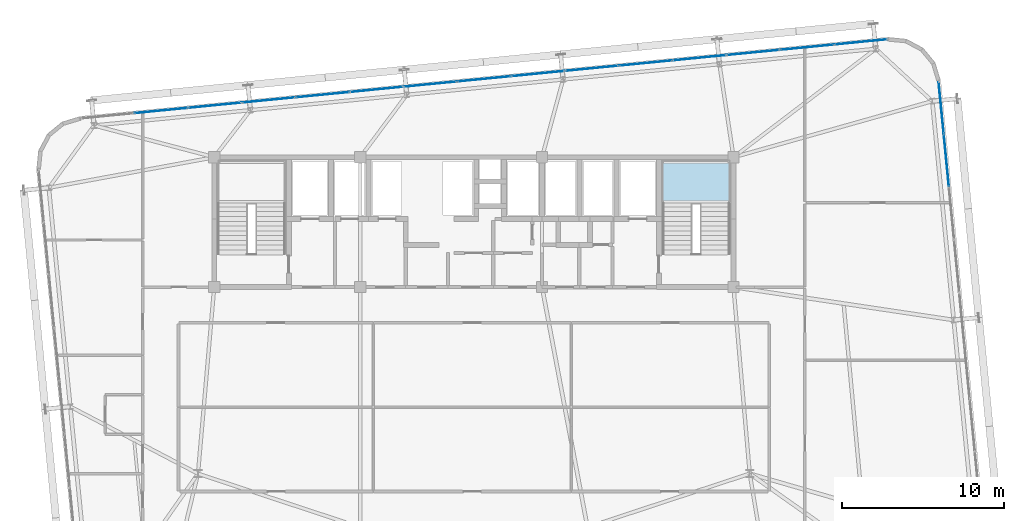
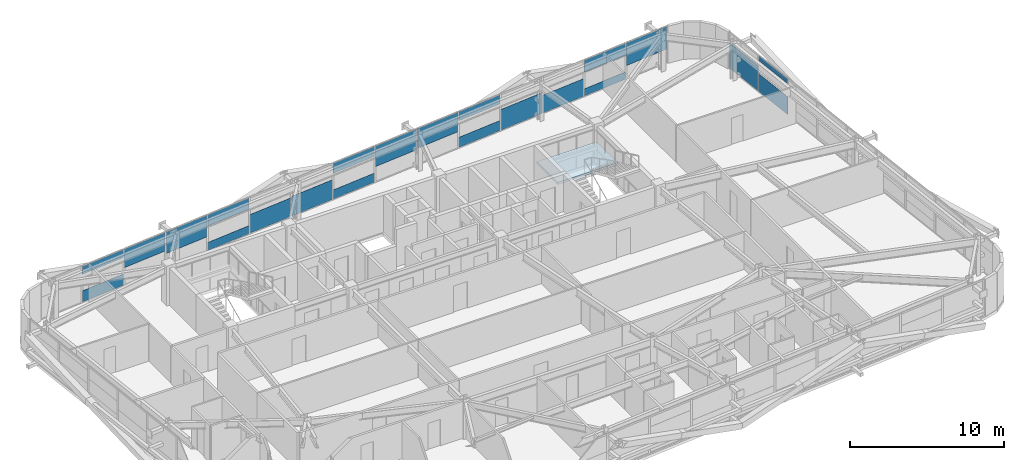
# One storey, part 37 of 54: 22 plates, 1 slab, 3 elements without a shape of their own.
"""IFC4 building model written with IfcOpenShell, lengths in metres."""

import ifcopenshell
import ifcopenshell.guid

model = None  # the IFC model being written
_history = None  # IfcOwnerHistory: only IFC2X3 demands one
_inside = {}  # id of a spatial element -> (the spatial element, [elements in it])
_under = {}  # id of a project, library or spatial element -> (it, [spatial elements below it])
_declared = {}  # id of a project -> (the project, [libraries it declares])
_typed = {}  # id of a type object -> (the type object, [elements of that type])
_made_of = {}  # id of a material, layer set ... -> (it, [elements and type objects made of it])


def new_model(schema):
    """Start an empty IFC model of exactly this schema.

    Asked for "IFC4X3", IfcOpenShell would pick the latest addendum, in which some entities
    have other attributes; the version numbers below select the first issue.
    IFC2X3 requires an IfcOwnerHistory on every rooted entity: one is made here for all.
    """
    global model, _history
    if schema == "IFC4X3":
        model = ifcopenshell.file(schema_version=(4, 3, 0, 0))
    else:
        model = ifcopenshell.file(schema=schema)
    _inside.clear()
    _under.clear()
    _declared.clear()
    _typed.clear()
    _made_of.clear()
    _history = None
    if model.schema == "IFC2X3":
        org = make("IfcOrganization", Name="unknown")
        user = make(
            "IfcPersonAndOrganization",
            ThePerson=make("IfcPerson", FamilyName="unknown"),
            TheOrganization=org,
        )
        app = make(
            "IfcApplication",
            ApplicationDeveloper=org,
            Version="unknown",
            ApplicationFullName="unknown",
            ApplicationIdentifier="unknown",
        )
        _history = make(
            "IfcOwnerHistory",
            OwningUser=user,
            OwningApplication=app,
            ChangeAction="ADDED",
            CreationDate=0,
        )
    return model


def make(cls, **values):
    """One entity of the class cls with the attributes given. An attribute that is None is left unset."""
    return model.create_entity(
        cls, **{name: value for name, value in values.items() if value is not None}
    )


def rooted(cls, **values):
    """An entity with a GlobalId (a new one), such as an element, a storey or a relation."""
    return make(cls, GlobalId=ifcopenshell.guid.new(), OwnerHistory=_history, **values)


def si_unit(unit_type, name, prefix=None):
    """IfcSIUnit, for example si_unit("LENGTHUNIT", "METRE", prefix="MILLI")."""
    return make("IfcSIUnit", UnitType=unit_type, Prefix=prefix, Name=name)


def assignment(units):
    """IfcUnitAssignment: the units of a project."""
    return None if units is None else make("IfcUnitAssignment", Units=units)


def point(xyz):
    """IfcCartesianPoint."""
    return None if xyz is None else make("IfcCartesianPoint", Coordinates=xyz)


def direction(xyz):
    """IfcDirection."""
    return None if xyz is None else make("IfcDirection", DirectionRatios=xyz)


def frame(location, z_axis=None, x_axis=None):
    """IfcAxis2Placement3D, a coordinate frame: its origin and axes. An axis left out is left unset."""
    return make(
        "IfcAxis2Placement3D",
        Location=point(location),
        Axis=direction(z_axis),
        RefDirection=direction(x_axis),
    )


def frame_2d(location, x_axis=None):
    """IfcAxis2Placement2D, a coordinate frame in the plane: its origin and x axis."""
    return make(
        "IfcAxis2Placement2D", Location=point(location), RefDirection=direction(x_axis)
    )


def origin():
    """The frame at (0, 0, 0) with its axes left unset."""
    return frame((0.0, 0.0, 0.0))


def origin_2d():
    """The frame at (0, 0) in the plane with its x axis left unset."""
    return frame_2d((0.0, 0.0))


def place(relative_to, where):
    """IfcLocalPlacement: puts the frame where relative to a parent placement (None: the world)."""
    return make(
        "IfcLocalPlacement", PlacementRelTo=relative_to, RelativePlacement=where
    )


def context(
    kind, dimensions, precision=None, world=None, true_north=None, identifier=None
):
    """IfcGeometricRepresentationContext, for example the 3D "Model" context."""
    return make(
        "IfcGeometricRepresentationContext",
        ContextIdentifier=identifier,
        ContextType=kind,
        CoordinateSpaceDimension=dimensions,
        Precision=precision,
        WorldCoordinateSystem=world,
        TrueNorth=true_north,
    )


def subcontext(parent, identifier, kind, view, scale=None):
    """IfcGeometricRepresentationSubContext, for example "Body" below "Model"."""
    return make(
        "IfcGeometricRepresentationSubContext",
        ContextIdentifier=identifier,
        ContextType=kind,
        ParentContext=parent,
        TargetScale=scale,
        TargetView=view,
    )


def project(units=None, contexts=None):
    """IfcProject with its units and contexts."""
    return rooted(
        "IfcProject",
        Name="project",
        RepresentationContexts=contexts,
        UnitsInContext=assignment(units),
    )


def spatial(cls, under=None, at=None, **own):
    """A site, building, storey or space (cls), placed at a placement, below another one or the project."""
    s = rooted(cls, ObjectPlacement=at, **own)
    if under is not None:
        _under.setdefault(under.id(), (under, []))[1].append(s)
    return s


def polyline(points):
    """IfcPolyline through the points."""
    return make("IfcPolyline", Points=[point(p) for p in points])


def profile(cls, at=None, kind="AREA", **sizes):
    """A parametric profile (cls). Its sizes go by their IFC names, for example OverallWidth=200.0."""
    return make(cls, ProfileType=kind, Position=at, **sizes)


def rectangle(**sizes):
    """IfcRectangleProfileDef."""
    return profile("IfcRectangleProfileDef", **sizes)


def outline(outer, holes=None, kind="AREA"):
    """IfcArbitraryClosedProfileDef: a profile drawn as a closed curve; with holes, ...WithVoids."""
    if holes is None:
        return make("IfcArbitraryClosedProfileDef", ProfileType=kind, OuterCurve=outer)
    return make(
        "IfcArbitraryProfileDefWithVoids",
        ProfileType=kind,
        OuterCurve=outer,
        InnerCurves=holes,
    )


def extrude(swept, where, along, depth):
    """IfcExtrudedAreaSolid: the profile swept, set in the frame where, extruded along a direction by depth."""
    return make(
        "IfcExtrudedAreaSolid",
        SweptArea=swept,
        Position=where,
        ExtrudedDirection=direction(along),
        Depth=depth,
    )


def shape(context_of_items, identifier, shape_type, items):
    """IfcShapeRepresentation: the items that make up one representation, for example the "Body"."""
    return make(
        "IfcShapeRepresentation",
        ContextOfItems=context_of_items,
        RepresentationIdentifier=identifier,
        RepresentationType=shape_type,
        Items=items,
    )


def source(mapping_origin, context_of_items, identifier, shape_type, items):
    """IfcRepresentationMap: a shape defined once, which mapped items show again and again."""
    return make(
        "IfcRepresentationMap",
        MappingOrigin=mapping_origin,
        MappedRepresentation=shape(context_of_items, identifier, shape_type, items),
    )


def transform(
    local_origin,
    x_axis=None,
    y_axis=None,
    z_axis=None,
    scale=None,
    scale2=None,
    scale3=None,
    uniform=True,
):
    """IfcCartesianTransformationOperator3D, or its non-uniform kind. x_axis, y_axis, z_axis: its Axis1, 2, 3."""
    if uniform:
        return make(
            "IfcCartesianTransformationOperator3D",
            Axis1=direction(x_axis),
            Axis2=direction(y_axis),
            LocalOrigin=point(local_origin),
            Scale=scale,
            Axis3=direction(z_axis),
        )
    return make(
        "IfcCartesianTransformationOperator3DnonUniform",
        Axis1=direction(x_axis),
        Axis2=direction(y_axis),
        LocalOrigin=point(local_origin),
        Scale=scale,
        Axis3=direction(z_axis),
        Scale2=scale2,
        Scale3=scale3,
    )


def mapped(mapping_source, mapping_target):
    """IfcMappedItem: shows the shape of a source again, moved by a transform."""
    return make(
        "IfcMappedItem", MappingSource=mapping_source, MappingTarget=mapping_target
    )


def material(Name=None, Category=None):
    """IfcMaterial."""
    return make("IfcMaterial", Name=Name, Category=Category)


def layer(
    of_material, thickness, ventilated=None, Name=None, Category=None, Priority=None
):
    """IfcMaterialLayer: one layer of a wall or slab, of a material (None: an air gap)."""
    return make(
        "IfcMaterialLayer",
        Material=of_material,
        LayerThickness=thickness,
        IsVentilated=ventilated,
        Name=Name,
        Category=Category,
        Priority=Priority,
    )


def layer_set(layers, Name=None):
    """IfcMaterialLayerSet."""
    return make("IfcMaterialLayerSet", MaterialLayers=layers, LayerSetName=Name)


def made_of(thing, what):
    """Note that an element or type object is made of a material, layer set ...; save() writes the relation."""
    if what is not None:
        _made_of.setdefault(what.id(), (what, []))[1].append(thing)
    return thing


def type_object(cls, material=None, **own):
    """A type object (cls), such as IfcWallType, which elements share."""
    return made_of(rooted(cls, **own), material)


def element(
    cls,
    number,
    at=None,
    inside=None,
    cuts=None,
    type_object=None,
    material=None,
    context=None,
    identifier="Body",
    shape_type=None,
    held_by="IfcProductDefinitionShape",
    body=None,
    shapes=None,
    **own,
):
    """One element of the class cls, such as IfcWall. Its Tag is "e" and its number.

    at: its placement. inside: the storey or other place that contains it. cuts: it is an
    opening in that element (IfcRelVoidsElement). A single representation is given by context,
    identifier, shape_type and body (its items); several are given by shapes. held_by: the class
    of the entity that holds the representations. save() writes the other relations.
    """
    e = rooted(cls, Tag="e%d" % number, ObjectPlacement=at, **own)
    if body is not None:
        shapes = [shape(context, identifier, shape_type, body)]
    if shapes is not None:
        e.Representation = make(held_by, Representations=shapes)
    if inside is not None:
        _inside.setdefault(inside.id(), (inside, []))[1].append(e)
    if cuts is not None:
        rooted(
            "IfcRelVoidsElement", RelatingBuildingElement=cuts, RelatedOpeningElement=e
        )
    if type_object is not None:
        _typed.setdefault(type_object.id(), (type_object, []))[1].append(e)
    return made_of(e, material)


def aggregate(whole, parts):
    """IfcRelAggregates: a whole, such as a stair, and the parts it consists of."""
    return rooted("IfcRelAggregates", RelatingObject=whole, RelatedObjects=parts)


def save(model, path):
    """Write the relations noted so far, then the file.

    IfcRelAggregates (storeys below a building ...), IfcRelContainedInSpatialStructure (elements
    in a storey), IfcRelDefinesByType, IfcRelAssociatesMaterial and IfcRelDeclares: one each for
    every whole, place, type object, material and project.
    """
    for whole, parts in _under.values():
        aggregate(whole, parts)
    for where, things in _inside.values():
        rooted(
            "IfcRelContainedInSpatialStructure",
            RelatedElements=things,
            RelatingStructure=where,
        )
    for kind, things in _typed.values():
        rooted("IfcRelDefinesByType", RelatedObjects=things, RelatingType=kind)
    for what, things in _made_of.values():
        rooted("IfcRelAssociatesMaterial", RelatedObjects=things, RelatingMaterial=what)
    for by, libraries in _declared.values():
        rooted("IfcRelDeclares", RelatingContext=by, RelatedDefinitions=libraries)
    model.write(path)


model = new_model("IFC4")

# Units and contexts
model_context = context("Model", 3, precision=1e-05, world=origin(), true_north=direction((0.0, 1.0)))
body_context = subcontext(model_context, "Body", "Model", "MODEL_VIEW")
ifc_project = project(units=[si_unit("LENGTHUNIT", "METRE"), si_unit("AREAUNIT", "SQUARE_METRE"), si_unit("VOLUMEUNIT", "CUBIC_METRE"), si_unit("PLANEANGLEUNIT", "RADIAN"), si_unit("MASSUNIT", "GRAM", prefix="KILO")], contexts=[model_context])

# Site, building, storey
site_placement = place(None, origin())
site = spatial("IfcSite", under=ifc_project, at=site_placement, CompositionType="ELEMENT")
building_placement = place(site_placement, origin())
building = spatial("IfcBuilding", under=site, at=building_placement, Name="Taldren Reach Tower", CompositionType="ELEMENT")
storey_placement = place(building_placement, frame((0.0, 0.0, 102.89990234375)))
storey = spatial("IfcBuildingStorey", under=building, at=storey_placement, Name="L31", CompositionType="ELEMENT", Elevation=102.89990234375)

# Stair, slab
ifc_material_1 = material(Name="Concrete S50 (50 MPa)", Category="concrete")
stair_type = type_object("IfcStairType", Name="ST-HT-315", PredefinedType="HALF_TURN_STAIR", material=ifc_material_1)
stair_placement = place(storey_placement, origin())
stair = element("IfcStair", 1, at=stair_placement, inside=storey, type_object=stair_type, Name="Fire-isolated exit stair ST2 L31", PredefinedType="HALF_TURN_STAIR")
ifc_layer_1 = layer(ifc_material_1, 0.179931640625)
ifc_layer_set_1 = layer_set([ifc_layer_1], Name="Concrete S50 (50 MPa)")
slab_type = type_object("IfcSlabType", Name="SL-LAND-180", PredefinedType="LANDING", material=ifc_layer_set_1)
slab_placement = place(storey_placement, frame((0.0, 0.0, 1.39501953125)))
slab = element("IfcSlab", 2, at=slab_placement, type_object=slab_type, Name="ST2 landing 1", PredefinedType="LANDING", context=body_context, shape_type="SweptSolid", body=[
    extrude(outline(polyline([(46.43994140625, 29.135009765625), (50.9599609375, 29.135009765625), (50.9599609375, 31.8701171875), (46.43994140625, 31.8701171875), (46.43994140625, 29.135009765625)])), origin(), (0.0, 0.0, 1.0), 0.18017578125),
])
aggregate(stair, [slab])

# Curtain wall, plates
ifc_material_2 = material(Name="Aluminium and Low-E Glass Unitised System", Category="aluminium")
ifc_layer_2 = layer(ifc_material_2, 0.159912109375)
ifc_layer_set_2 = layer_set([ifc_layer_2], Name="Aluminium and Low-E Glass Unitised System")
curtain_wall_type = type_object("IfcCurtainWallType", Name="CW-SYS-3", PredefinedType="NOTDEFINED", material=ifc_layer_set_2)
curtain_wall_1_placement = place(storey_placement, origin())
curtain_wall_1 = element("IfcCurtainWall", 3, at=curtain_wall_1_placement, inside=storey, type_object=curtain_wall_type, Name="Unitised curtain wall CW-L31-N", PredefinedType="NOTDEFINED")
ifc_material_3 = material(Name="Solar-Control Double Glazed IGU", Category="glass")
ifc_layer_3 = layer(ifc_material_3, 0.031982421875)
ifc_layer_set_3 = layer_set([ifc_layer_3], Name="Solar-Control Double Glazed IGU")
plate_type = type_object("IfcPlateType", Name="CW-PNL-IGU32", PredefinedType="CURTAIN_PANEL", material=ifc_layer_set_3)
shared_shape_1 = source(origin(), body_context, "Body", "SweptSolid", [
    extrude(rectangle(XDim=3.268310546875, YDim=0.031982421875, at=origin_2d()), origin(), (0.0, 0.0, 1.0), 0.88818359375),
])
plate_1_placement = place(storey_placement, frame((15.72705078125, 34.874267578125, 0.05517578125), z_axis=(0.0, 0.0, 1.0), x_axis=(-0.995227390247, -0.097582999046, 0.0)))
plate_1 = element("IfcPlate", 4, at=plate_1_placement, type_object=plate_type, Name="CW-3 panel 14.1 part 1", PredefinedType="CURTAIN_PANEL", context=body_context, shape_type="MappedRepresentation", body=[
    mapped(shared_shape_1, transform((0.0, 0.0, 0.0), scale=1.0)),
])
shared_shape_2 = source(origin(), body_context, "Body", "SweptSolid", [
    extrude(rectangle(XDim=3.268310546875, YDim=0.031982421875, at=origin_2d()), origin(), (0.0, 0.0, 1.0), 0.626953125),
])
plate_2_placement = place(storey_placement, frame((15.72705078125, 34.874267578125, 2.248046875), z_axis=(0.0, 0.0, 1.0), x_axis=(-0.995227390247, -0.097582999046, 0.0)))
plate_2 = element("IfcPlate", 5, at=plate_2_placement, type_object=plate_type, Name="CW-3 panel 14.1 part 2", PredefinedType="CURTAIN_PANEL", context=body_context, shape_type="MappedRepresentation", body=[
    mapped(shared_shape_2, transform((0.0, 0.0, 0.0), scale=1.0)),
])
shared_shape_3 = source(origin(), body_context, "Body", "SweptSolid", [
    extrude(rectangle(XDim=3.268310546875, YDim=0.031982421875, at=origin_2d()), origin(), (0.0, 0.0, 1.0), 1.4638671875),
])
plate_3_placement = place(storey_placement, frame((19.04443359375, 35.199462890625, 1.411376953125), z_axis=(0.0, 0.0, 1.0), x_axis=(-0.995227390247, -0.097582999046, 0.0)))
plate_3 = element("IfcPlate", 6, at=plate_3_placement, type_object=plate_type, Name="CW-3 panel 13.1 part 1", PredefinedType="CURTAIN_PANEL", context=body_context, shape_type="MappedRepresentation", body=[
    mapped(shared_shape_3, transform((0.0, 0.0, 0.0), scale=1.0)),
])
shared_shape_4 = source(origin(), body_context, "Body", "SweptSolid", [
    extrude(rectangle(XDim=3.268310546875, YDim=0.031982421875, at=origin_2d()), origin(), (0.0, 0.0, 1.0), 1.704833984375),
])
plate_4_placement = place(storey_placement, frame((22.36181640625, 35.52490234375, 1.17041015625), z_axis=(0.0, 0.0, 1.0), x_axis=(-0.995227390247, -0.097582999046, 0.0)))
plate_4 = element("IfcPlate", 7, at=plate_4_placement, type_object=plate_type, Name="CW-3 panel 12.1 part 1", PredefinedType="CURTAIN_PANEL", context=body_context, shape_type="MappedRepresentation", body=[
    mapped(shared_shape_4, transform((0.0, 0.0, 0.0), scale=1.0)),
])
shared_shape_5 = source(origin(), body_context, "Body", "SweptSolid", [
    extrude(rectangle(XDim=3.268310546875, YDim=0.031982421875, at=origin_2d()), origin(), (0.0, 0.0, 1.0), 0.647216796875),
])
plate_5_placement = place(storey_placement, frame((25.67919921875, 35.85009765625, 0.05517578125), z_axis=(0.0, 0.0, 1.0), x_axis=(-0.995227390247, -0.097582999046, 0.0)))
plate_5 = element("IfcPlate", 8, at=plate_5_placement, type_object=plate_type, Name="CW-3 panel 11.1 part 1", PredefinedType="CURTAIN_PANEL", context=body_context, shape_type="MappedRepresentation", body=[
    mapped(shared_shape_5, transform((0.0, 0.0, 0.0), scale=1.0)),
])
shared_shape_6 = source(origin(), body_context, "Body", "SweptSolid", [
    extrude(rectangle(XDim=3.268310546875, YDim=0.031982421875, at=origin_2d()), origin(), (0.0, 0.0, 1.0), 0.867919921875),
])
plate_6_placement = place(storey_placement, frame((25.67919921875, 35.85009765625, 2.00732421875), z_axis=(0.0, 0.0, 1.0), x_axis=(-0.995227390247, -0.097582999046, 0.0)))
plate_6 = element("IfcPlate", 9, at=plate_6_placement, type_object=plate_type, Name="CW-3 panel 11.1 part 2", PredefinedType="CURTAIN_PANEL", context=body_context, shape_type="MappedRepresentation", body=[
    mapped(shared_shape_6, transform((0.0, 0.0, 0.0), scale=1.0)),
])
shared_shape_7 = source(origin(), body_context, "Body", "SweptSolid", [
    extrude(rectangle(XDim=3.268310546875, YDim=0.031982421875, at=origin_2d()), origin(), (0.0, 0.0, 1.0), 1.484130859375),
])
plate_7_placement = place(storey_placement, frame((28.996826171875, 36.17529296875, 0.05517578125), z_axis=(0.0, 0.0, 1.0), x_axis=(-0.995227390247, -0.097582999046, 0.0)))
plate_7 = element("IfcPlate", 10, at=plate_7_placement, type_object=plate_type, Name="CW-3 panel 10.1 part 1", PredefinedType="CURTAIN_PANEL", context=body_context, shape_type="MappedRepresentation", body=[
    mapped(shared_shape_7, transform((0.0, 0.0, 0.0), scale=1.0)),
])
shared_shape_8 = source(origin(), body_context, "Body", "SweptSolid", [
    extrude(rectangle(XDim=3.268310546875, YDim=0.031982421875, at=origin_2d()), origin(), (0.0, 0.0, 1.0), 1.564453125),
])
plate_8_placement = place(storey_placement, frame((32.314208984375, 36.500732421875, 0.05517578125), z_axis=(0.0, 0.0, 1.0), x_axis=(-0.995227390247, -0.097582999046, 0.0)))
plate_8 = element("IfcPlate", 11, at=plate_8_placement, type_object=plate_type, Name="CW-3 panel 9.1 part 1", PredefinedType="CURTAIN_PANEL", context=body_context, shape_type="MappedRepresentation", body=[
    mapped(shared_shape_8, transform((0.0, 0.0, 0.0), scale=1.0)),
])
shared_shape_9 = source(origin(), body_context, "Body", "SweptSolid", [
    extrude(rectangle(XDim=3.268310546875, YDim=0.031982421875, at=origin_2d()), origin(), (0.0, 0.0, 1.0), 0.7275390625),
])
plate_9_placement = place(storey_placement, frame((35.631591796875, 36.825927734375, 0.05517578125), z_axis=(0.0, 0.0, 1.0), x_axis=(-0.995227390247, -0.097582999046, 0.0)))
plate_9 = element("IfcPlate", 12, at=plate_9_placement, type_object=plate_type, Name="CW-3 panel 8.1 part 1", PredefinedType="CURTAIN_PANEL", context=body_context, shape_type="MappedRepresentation", body=[
    mapped(shared_shape_9, transform((0.0, 0.0, 0.0), scale=1.0)),
])
shared_shape_10 = source(origin(), body_context, "Body", "SweptSolid", [
    extrude(rectangle(XDim=3.268310546875, YDim=0.031982421875, at=origin_2d()), origin(), (0.0, 0.0, 1.0), 0.78759765625),
])
plate_10_placement = place(storey_placement, frame((35.631591796875, 36.825927734375, 2.08740234375), z_axis=(0.0, 0.0, 1.0), x_axis=(-0.995227390247, -0.097582999046, 0.0)))
plate_10 = element("IfcPlate", 13, at=plate_10_placement, type_object=plate_type, Name="CW-3 panel 8.1 part 2", PredefinedType="CURTAIN_PANEL", context=body_context, shape_type="MappedRepresentation", body=[
    mapped(shared_shape_10, transform((0.0, 0.0, 0.0), scale=1.0)),
])
shared_shape_11 = source(origin(), body_context, "Body", "SweptSolid", [
    extrude(rectangle(XDim=3.268310546875, YDim=0.031982421875, at=origin_2d()), origin(), (0.0, 0.0, 1.0), 1.62451171875),
])
plate_11_placement = place(storey_placement, frame((38.948974609375, 37.151123046875, 1.250732421875), z_axis=(0.0, 0.0, 1.0), x_axis=(-0.995227390247, -0.097582999046, 0.0)))
plate_11 = element("IfcPlate", 14, at=plate_11_placement, type_object=plate_type, Name="CW-3 panel 7.1 part 1", PredefinedType="CURTAIN_PANEL", context=body_context, shape_type="MappedRepresentation", body=[
    mapped(shared_shape_11, transform((0.0, 0.0, 0.0), scale=1.0)),
])
shared_shape_12 = source(origin(), body_context, "Body", "SweptSolid", [
    extrude(rectangle(XDim=3.268310546875, YDim=0.031982421875, at=origin_2d()), origin(), (0.0, 0.0, 1.0), 1.544189453125),
])
plate_12_placement = place(storey_placement, frame((42.266357421875, 37.4765625, 1.3310546875), z_axis=(0.0, 0.0, 1.0), x_axis=(-0.995227390247, -0.097582999046, 0.0)))
plate_12 = element("IfcPlate", 15, at=plate_12_placement, type_object=plate_type, Name="CW-3 panel 6.1 part 1", PredefinedType="CURTAIN_PANEL", context=body_context, shape_type="MappedRepresentation", body=[
    mapped(shared_shape_12, transform((0.0, 0.0, 0.0), scale=1.0)),
])
shared_shape_13 = source(origin(), body_context, "Body", "SweptSolid", [
    extrude(rectangle(XDim=3.268310546875, YDim=0.031982421875, at=origin_2d()), origin(), (0.0, 0.0, 1.0), 0.807861328125),
])
plate_13_placement = place(storey_placement, frame((45.583740234375, 37.8017578125, 0.05517578125), z_axis=(0.0, 0.0, 1.0), x_axis=(-0.995227390247, -0.097582999046, 0.0)))
plate_13 = element("IfcPlate", 16, at=plate_13_placement, type_object=plate_type, Name="CW-3 panel 5.1 part 1", PredefinedType="CURTAIN_PANEL", context=body_context, shape_type="MappedRepresentation", body=[
    mapped(shared_shape_13, transform((0.0, 0.0, 0.0), scale=1.0)),
])
shared_shape_14 = source(origin(), body_context, "Body", "SweptSolid", [
    extrude(rectangle(XDim=3.268310546875, YDim=0.031982421875, at=origin_2d()), origin(), (0.0, 0.0, 1.0), 0.707275390625),
])
plate_14_placement = place(storey_placement, frame((45.583740234375, 37.8017578125, 2.16796875), z_axis=(0.0, 0.0, 1.0), x_axis=(-0.995227390247, -0.097582999046, 0.0)))
plate_14 = element("IfcPlate", 17, at=plate_14_placement, type_object=plate_type, Name="CW-3 panel 5.1 part 2", PredefinedType="CURTAIN_PANEL", context=body_context, shape_type="MappedRepresentation", body=[
    mapped(shared_shape_14, transform((0.0, 0.0, 0.0), scale=1.0)),
])
shared_shape_15 = source(origin(), body_context, "Body", "SweptSolid", [
    extrude(rectangle(XDim=3.268310546875, YDim=0.031982421875, at=origin_2d()), origin(), (0.0, 0.0, 1.0), 1.644775390625),
])
plate_15_placement = place(storey_placement, frame((48.9013671875, 38.126953125, 0.05517578125), z_axis=(0.0, 0.0, 1.0), x_axis=(-0.995227390247, -0.097582999046, 0.0)))
plate_15 = element("IfcPlate", 18, at=plate_15_placement, type_object=plate_type, Name="CW-3 panel 4.1 part 1", PredefinedType="CURTAIN_PANEL", context=body_context, shape_type="MappedRepresentation", body=[
    mapped(shared_shape_15, transform((0.0, 0.0, 0.0), scale=1.0)),
])
shared_shape_16 = source(origin(), body_context, "Body", "SweptSolid", [
    extrude(rectangle(XDim=3.268310546875, YDim=0.031982421875, at=origin_2d()), origin(), (0.0, 0.0, 1.0), 1.40380859375),
])
plate_16_placement = place(storey_placement, frame((52.21875, 38.452392578125, 0.05517578125), z_axis=(0.0, 0.0, 1.0), x_axis=(-0.995227390247, -0.097582999046, 0.0)))
plate_16 = element("IfcPlate", 19, at=plate_16_placement, type_object=plate_type, Name="CW-3 panel 3.1 part 1", PredefinedType="CURTAIN_PANEL", context=body_context, shape_type="MappedRepresentation", body=[
    mapped(shared_shape_16, transform((0.0, 0.0, 0.0), scale=1.0)),
])
shared_shape_17 = source(origin(), body_context, "Body", "SweptSolid", [
    extrude(rectangle(XDim=3.268310546875, YDim=0.031982421875, at=origin_2d()), origin(), (0.0, 0.0, 1.0), 0.56689453125),
])
plate_17_placement = place(storey_placement, frame((55.5361328125, 38.777587890625, 0.05517578125), z_axis=(0.0, 0.0, 1.0), x_axis=(-0.995227390247, -0.097582999046, 0.0)))
plate_17 = element("IfcPlate", 20, at=plate_17_placement, type_object=plate_type, Name="CW-3 panel 2.1 part 1", PredefinedType="CURTAIN_PANEL", context=body_context, shape_type="MappedRepresentation", body=[
    mapped(shared_shape_17, transform((0.0, 0.0, 0.0), scale=1.0)),
])
shared_shape_18 = source(origin(), body_context, "Body", "SweptSolid", [
    extrude(rectangle(XDim=3.268310546875, YDim=0.031982421875, at=origin_2d()), origin(), (0.0, 0.0, 1.0), 0.9482421875),
])
plate_18_placement = place(storey_placement, frame((55.5361328125, 38.777587890625, 1.9267578125), z_axis=(0.0, 0.0, 1.0), x_axis=(-0.995227390247, -0.097582999046, 0.0)))
plate_18 = element("IfcPlate", 21, at=plate_18_placement, type_object=plate_type, Name="CW-3 panel 2.1 part 2", PredefinedType="CURTAIN_PANEL", context=body_context, shape_type="MappedRepresentation", body=[
    mapped(shared_shape_18, transform((0.0, 0.0, 0.0), scale=1.0)),
])
shared_shape_19 = source(origin(), body_context, "Body", "SweptSolid", [
    extrude(rectangle(XDim=3.23583984375, YDim=0.031982421875, at=origin_2d()), origin(), (0.0, 0.0, 1.0), 1.78515625),
])
plate_19_placement = place(storey_placement, frame((58.83740234375, 39.101318359375, 1.090087890625), z_axis=(0.0, 0.0, 1.0), x_axis=(-0.995227390247, -0.097582999046, 0.0)))
plate_19 = element("IfcPlate", 22, at=plate_19_placement, type_object=plate_type, Name="CW-3 panel 1.1 part 1", PredefinedType="CURTAIN_PANEL", context=body_context, shape_type="MappedRepresentation", body=[
    mapped(shared_shape_19, transform((0.0, 0.0, 0.0), scale=1.0)),
])
aggregate(curtain_wall_1, [plate_19, plate_17, plate_18, plate_16, plate_15, plate_13, plate_14, plate_12, plate_11, plate_9, plate_10, plate_8, plate_7, plate_5, plate_6, plate_4, plate_3, plate_1, plate_2])

curtain_wall_2_placement = place(storey_placement, origin())
curtain_wall_2 = element("IfcCurtainWall", 23, at=curtain_wall_2_placement, inside=storey, type_object=curtain_wall_type, Name="Unitised curtain wall CW-L31-E", PredefinedType="NOTDEFINED")
shared_shape_20 = source(origin(), body_context, "Body", "SweptSolid", [
    extrude(rectangle(XDim=3.18017578125, YDim=0.031982421875, at=origin_2d()), origin(), (0.0, 0.0, 1.0), 1.989501953125),
])
plate_20_placement = place(storey_placement, frame((63.79931640625, 35.051025390625, 0.05517578125), z_axis=(0.0, 0.0, 1.0), x_axis=(-0.09758274098, 0.99522741555, 0.0)))
plate_20 = element("IfcPlate", 24, at=plate_20_placement, type_object=plate_type, Name="CW-3 panel 9.1 part 1", PredefinedType="CURTAIN_PANEL", context=body_context, shape_type="MappedRepresentation", body=[
    mapped(shared_shape_20, transform((0.0, 0.0, 0.0), scale=1.0)),
])
shared_shape_21 = source(origin(), body_context, "Body", "SweptSolid", [
    extrude(rectangle(XDim=3.212890625, YDim=0.031982421875, at=origin_2d()), origin(), (0.0, 0.0, 1.0), 1.401611328125),
])
plate_21_placement = place(storey_placement, frame((64.117431640625, 31.80517578125, 0.05517578125), z_axis=(0.0, 0.0, 1.0), x_axis=(-0.09758274098, 0.99522741555, 0.0)))
plate_21 = element("IfcPlate", 25, at=plate_21_placement, type_object=plate_type, Name="CW-3 panel 8.1 part 1", PredefinedType="CURTAIN_PANEL", context=body_context, shape_type="MappedRepresentation", body=[
    mapped(shared_shape_21, transform((0.0, 0.0, 0.0), scale=1.0)),
])
shared_shape_22 = source(origin(), body_context, "Body", "SweptSolid", [
    extrude(rectangle(XDim=3.212890625, YDim=0.031982421875, at=origin_2d()), origin(), (0.0, 0.0, 1.0), 0.36474609375),
])
plate_22_placement = place(storey_placement, frame((64.117431640625, 31.80517578125, 2.51025390625), z_axis=(0.0, 0.0, 1.0), x_axis=(-0.09758274098, 0.99522741555, 0.0)))
plate_22 = element("IfcPlate", 26, at=plate_22_placement, type_object=plate_type, Name="CW-3 panel 8.1 part 2", PredefinedType="CURTAIN_PANEL", context=body_context, shape_type="MappedRepresentation", body=[
    mapped(shared_shape_22, transform((0.0, 0.0, 0.0), scale=1.0)),
])
aggregate(curtain_wall_2, [plate_21, plate_22, plate_20])

save(model, "model.ifc")
